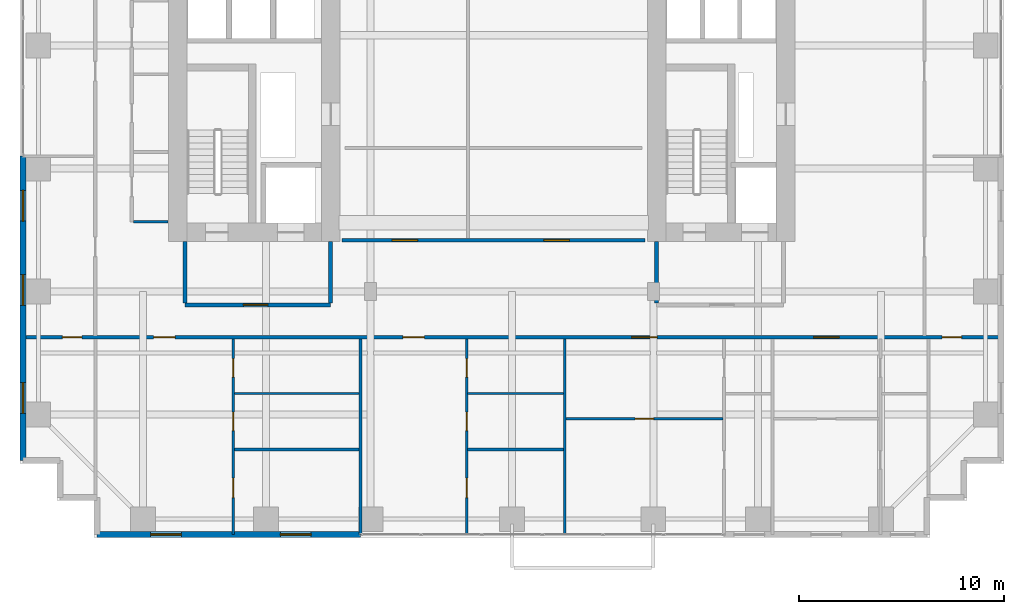
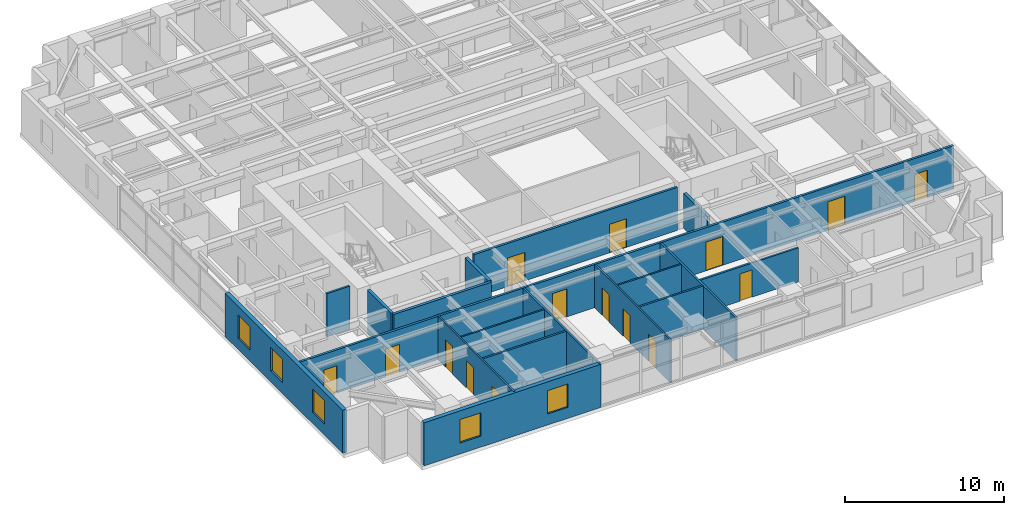
# One storey, part 19 of 24: 18 walls, 16 doors, 5 windows, 21 openings.
"""IFC4 building model written with IfcOpenShell, lengths in metres."""

import ifcopenshell
import ifcopenshell.guid

model = None  # the IFC model being written
_history = None  # IfcOwnerHistory: only IFC2X3 demands one
_inside = {}  # id of a spatial element -> (the spatial element, [elements in it])
_under = {}  # id of a project, library or spatial element -> (it, [spatial elements below it])
_declared = {}  # id of a project -> (the project, [libraries it declares])
_typed = {}  # id of a type object -> (the type object, [elements of that type])
_made_of = {}  # id of a material, layer set ... -> (it, [elements and type objects made of it])


def new_model(schema):
    """Start an empty IFC model of exactly this schema.

    Asked for "IFC4X3", IfcOpenShell would pick the latest addendum, in which some entities
    have other attributes; the version numbers below select the first issue.
    IFC2X3 requires an IfcOwnerHistory on every rooted entity: one is made here for all.
    """
    global model, _history
    if schema == "IFC4X3":
        model = ifcopenshell.file(schema_version=(4, 3, 0, 0))
    else:
        model = ifcopenshell.file(schema=schema)
    _inside.clear()
    _under.clear()
    _declared.clear()
    _typed.clear()
    _made_of.clear()
    _history = None
    if model.schema == "IFC2X3":
        org = make("IfcOrganization", Name="unknown")
        user = make(
            "IfcPersonAndOrganization",
            ThePerson=make("IfcPerson", FamilyName="unknown"),
            TheOrganization=org,
        )
        app = make(
            "IfcApplication",
            ApplicationDeveloper=org,
            Version="unknown",
            ApplicationFullName="unknown",
            ApplicationIdentifier="unknown",
        )
        _history = make(
            "IfcOwnerHistory",
            OwningUser=user,
            OwningApplication=app,
            ChangeAction="ADDED",
            CreationDate=0,
        )
    return model


def make(cls, **values):
    """One entity of the class cls with the attributes given. An attribute that is None is left unset."""
    return model.create_entity(
        cls, **{name: value for name, value in values.items() if value is not None}
    )


def rooted(cls, **values):
    """An entity with a GlobalId (a new one), such as an element, a storey or a relation."""
    return make(cls, GlobalId=ifcopenshell.guid.new(), OwnerHistory=_history, **values)


def si_unit(unit_type, name, prefix=None):
    """IfcSIUnit, for example si_unit("LENGTHUNIT", "METRE", prefix="MILLI")."""
    return make("IfcSIUnit", UnitType=unit_type, Prefix=prefix, Name=name)


def assignment(units):
    """IfcUnitAssignment: the units of a project."""
    return None if units is None else make("IfcUnitAssignment", Units=units)


def point(xyz):
    """IfcCartesianPoint."""
    return None if xyz is None else make("IfcCartesianPoint", Coordinates=xyz)


def direction(xyz):
    """IfcDirection."""
    return None if xyz is None else make("IfcDirection", DirectionRatios=xyz)


def frame(location, z_axis=None, x_axis=None):
    """IfcAxis2Placement3D, a coordinate frame: its origin and axes. An axis left out is left unset."""
    return make(
        "IfcAxis2Placement3D",
        Location=point(location),
        Axis=direction(z_axis),
        RefDirection=direction(x_axis),
    )


def frame_2d(location, x_axis=None):
    """IfcAxis2Placement2D, a coordinate frame in the plane: its origin and x axis."""
    return make(
        "IfcAxis2Placement2D", Location=point(location), RefDirection=direction(x_axis)
    )


def origin():
    """The frame at (0, 0, 0) with its axes left unset."""
    return frame((0.0, 0.0, 0.0))


def place(relative_to, where):
    """IfcLocalPlacement: puts the frame where relative to a parent placement (None: the world)."""
    return make(
        "IfcLocalPlacement", PlacementRelTo=relative_to, RelativePlacement=where
    )


def context(
    kind, dimensions, precision=None, world=None, true_north=None, identifier=None
):
    """IfcGeometricRepresentationContext, for example the 3D "Model" context."""
    return make(
        "IfcGeometricRepresentationContext",
        ContextIdentifier=identifier,
        ContextType=kind,
        CoordinateSpaceDimension=dimensions,
        Precision=precision,
        WorldCoordinateSystem=world,
        TrueNorth=true_north,
    )


def subcontext(parent, identifier, kind, view, scale=None):
    """IfcGeometricRepresentationSubContext, for example "Body" below "Model"."""
    return make(
        "IfcGeometricRepresentationSubContext",
        ContextIdentifier=identifier,
        ContextType=kind,
        ParentContext=parent,
        TargetScale=scale,
        TargetView=view,
    )


def project(units=None, contexts=None):
    """IfcProject with its units and contexts."""
    return rooted(
        "IfcProject",
        Name="project",
        RepresentationContexts=contexts,
        UnitsInContext=assignment(units),
    )


def spatial(cls, under=None, at=None, **own):
    """A site, building, storey or space (cls), placed at a placement, below another one or the project."""
    s = rooted(cls, ObjectPlacement=at, **own)
    if under is not None:
        _under.setdefault(under.id(), (under, []))[1].append(s)
    return s


def profile(cls, at=None, kind="AREA", **sizes):
    """A parametric profile (cls). Its sizes go by their IFC names, for example OverallWidth=200.0."""
    return make(cls, ProfileType=kind, Position=at, **sizes)


def rectangle(**sizes):
    """IfcRectangleProfileDef."""
    return profile("IfcRectangleProfileDef", **sizes)


def extrude(swept, where, along, depth):
    """IfcExtrudedAreaSolid: the profile swept, set in the frame where, extruded along a direction by depth."""
    return make(
        "IfcExtrudedAreaSolid",
        SweptArea=swept,
        Position=where,
        ExtrudedDirection=direction(along),
        Depth=depth,
    )


def shape(context_of_items, identifier, shape_type, items):
    """IfcShapeRepresentation: the items that make up one representation, for example the "Body"."""
    return make(
        "IfcShapeRepresentation",
        ContextOfItems=context_of_items,
        RepresentationIdentifier=identifier,
        RepresentationType=shape_type,
        Items=items,
    )


def source(mapping_origin, context_of_items, identifier, shape_type, items):
    """IfcRepresentationMap: a shape defined once, which mapped items show again and again."""
    return make(
        "IfcRepresentationMap",
        MappingOrigin=mapping_origin,
        MappedRepresentation=shape(context_of_items, identifier, shape_type, items),
    )


def transform(
    local_origin,
    x_axis=None,
    y_axis=None,
    z_axis=None,
    scale=None,
    scale2=None,
    scale3=None,
    uniform=True,
):
    """IfcCartesianTransformationOperator3D, or its non-uniform kind. x_axis, y_axis, z_axis: its Axis1, 2, 3."""
    if uniform:
        return make(
            "IfcCartesianTransformationOperator3D",
            Axis1=direction(x_axis),
            Axis2=direction(y_axis),
            LocalOrigin=point(local_origin),
            Scale=scale,
            Axis3=direction(z_axis),
        )
    return make(
        "IfcCartesianTransformationOperator3DnonUniform",
        Axis1=direction(x_axis),
        Axis2=direction(y_axis),
        LocalOrigin=point(local_origin),
        Scale=scale,
        Axis3=direction(z_axis),
        Scale2=scale2,
        Scale3=scale3,
    )


def mapped(mapping_source, mapping_target):
    """IfcMappedItem: shows the shape of a source again, moved by a transform."""
    return make(
        "IfcMappedItem", MappingSource=mapping_source, MappingTarget=mapping_target
    )


def material(Name=None, Category=None):
    """IfcMaterial."""
    return make("IfcMaterial", Name=Name, Category=Category)


def layer(
    of_material, thickness, ventilated=None, Name=None, Category=None, Priority=None
):
    """IfcMaterialLayer: one layer of a wall or slab, of a material (None: an air gap)."""
    return make(
        "IfcMaterialLayer",
        Material=of_material,
        LayerThickness=thickness,
        IsVentilated=ventilated,
        Name=Name,
        Category=Category,
        Priority=Priority,
    )


def layer_set(layers, Name=None):
    """IfcMaterialLayerSet."""
    return make("IfcMaterialLayerSet", MaterialLayers=layers, LayerSetName=Name)


def made_of(thing, what):
    """Note that an element or type object is made of a material, layer set ...; save() writes the relation."""
    if what is not None:
        _made_of.setdefault(what.id(), (what, []))[1].append(thing)
    return thing


def type_object(cls, material=None, **own):
    """A type object (cls), such as IfcWallType, which elements share."""
    return made_of(rooted(cls, **own), material)


def element(
    cls,
    number,
    at=None,
    inside=None,
    cuts=None,
    type_object=None,
    material=None,
    context=None,
    identifier="Body",
    shape_type=None,
    held_by="IfcProductDefinitionShape",
    body=None,
    shapes=None,
    **own,
):
    """One element of the class cls, such as IfcWall. Its Tag is "e" and its number.

    at: its placement. inside: the storey or other place that contains it. cuts: it is an
    opening in that element (IfcRelVoidsElement). A single representation is given by context,
    identifier, shape_type and body (its items); several are given by shapes. held_by: the class
    of the entity that holds the representations. save() writes the other relations.
    """
    e = rooted(cls, Tag="e%d" % number, ObjectPlacement=at, **own)
    if body is not None:
        shapes = [shape(context, identifier, shape_type, body)]
    if shapes is not None:
        e.Representation = make(held_by, Representations=shapes)
    if inside is not None:
        _inside.setdefault(inside.id(), (inside, []))[1].append(e)
    if cuts is not None:
        rooted(
            "IfcRelVoidsElement", RelatingBuildingElement=cuts, RelatedOpeningElement=e
        )
    if type_object is not None:
        _typed.setdefault(type_object.id(), (type_object, []))[1].append(e)
    return made_of(e, material)


def fill(opening, filler):
    """IfcRelFillsElement: the door or window that sits in an opening."""
    return rooted(
        "IfcRelFillsElement",
        RelatingOpeningElement=opening,
        RelatedBuildingElement=filler,
    )


def aggregate(whole, parts):
    """IfcRelAggregates: a whole, such as a stair, and the parts it consists of."""
    return rooted("IfcRelAggregates", RelatingObject=whole, RelatedObjects=parts)


def save(model, path):
    """Write the relations noted so far, then the file.

    IfcRelAggregates (storeys below a building ...), IfcRelContainedInSpatialStructure (elements
    in a storey), IfcRelDefinesByType, IfcRelAssociatesMaterial and IfcRelDeclares: one each for
    every whole, place, type object, material and project.
    """
    for whole, parts in _under.values():
        aggregate(whole, parts)
    for where, things in _inside.values():
        rooted(
            "IfcRelContainedInSpatialStructure",
            RelatedElements=things,
            RelatingStructure=where,
        )
    for kind, things in _typed.values():
        rooted("IfcRelDefinesByType", RelatedObjects=things, RelatingType=kind)
    for what, things in _made_of.values():
        rooted("IfcRelAssociatesMaterial", RelatedObjects=things, RelatingMaterial=what)
    for by, libraries in _declared.values():
        rooted("IfcRelDeclares", RelatingContext=by, RelatedDefinitions=libraries)
    model.write(path)


model = new_model("IFC4")

# Units and contexts
model_context = context("Model", 3, precision=1e-05, world=origin(), true_north=direction((0.0, 1.0)))
body_context = subcontext(model_context, "Body", "Model", "MODEL_VIEW")
ifc_project = project(units=[si_unit("LENGTHUNIT", "METRE"), si_unit("AREAUNIT", "SQUARE_METRE"), si_unit("VOLUMEUNIT", "CUBIC_METRE"), si_unit("PLANEANGLEUNIT", "RADIAN"), si_unit("MASSUNIT", "GRAM", prefix="KILO")], contexts=[model_context])

# Site, building, storey
site_placement = place(None, origin())
site = spatial("IfcSite", under=ifc_project, at=site_placement, CompositionType="ELEMENT")
building_placement = place(site_placement, origin())
building = spatial("IfcBuilding", under=site, at=building_placement, Name="Khoralis Quay Care Tower", CompositionType="ELEMENT")
storey_placement = place(building_placement, frame((0.0, 0.0, 54.89990234375)))
storey = spatial("IfcBuildingStorey", under=building, at=storey_placement, Name="L14", CompositionType="ELEMENT", Elevation=54.89990234375)

# Wall, opening, door
ifc_material_1 = material(Name="Gypsum plasterboard on acoustic metal stud")
ifc_layer_1 = layer(ifc_material_1, 0.199951171875)
ifc_layer_set_1 = layer_set([ifc_layer_1], Name="Gypsum plasterboard on acoustic metal stud")
wall_type_1 = type_object("IfcWallType", Name="WL-COMP-200", PredefinedType="PARTITIONING", material=ifc_layer_set_1)
wall_1_placement = place(storey_placement, frame((8.050048828125, 11.35009765625, 0.0), z_axis=(0.0, 0.0, 1.0), x_axis=(1.0, 0.0, 0.0)))
wall_1 = element("IfcWall", 1, at=wall_1_placement, inside=storey, type_object=wall_type_1, Name="L14 West Firefighting Lobby South Wall", PredefinedType="PARTITIONING", context=body_context, shape_type="SweptSolid", body=[
    extrude(rectangle(XDim=7.099853515625, YDim=0.199951171875, at=frame_2d((3.5498046875, 0.0))), origin(), (0.0, 0.0, 1.0), 3.320068359375),
])
opening_1_placement = place(wall_1_placement, frame((2.846435546875, 0.0, 0.0)))
opening_1 = element("IfcOpeningElement", 2, at=opening_1_placement, cuts=wall_1, Name="Opening FD1", PredefinedType="OPENING", context=body_context, shape_type="SweptSolid", body=[
    extrude(rectangle(XDim=1.199951171875, YDim=2.199951171875, at=frame_2d((0.60009765625, 1.10009765625))), frame((0.0, 0.10986328125, 0.0), z_axis=(0.0, -1.0, 0.0), x_axis=(1.0, 0.0, 0.0)), (0.0, 0.0, 1.0), 0.219970703125),
])
ifc_material_2 = material(Name="Fire-rated painted steel", Category="steel")
door_type_1 = type_object("IfcDoorType", Name="DR-FFL-1200X2200", OperationType="NOTDEFINED", PredefinedType="DOOR", material=ifc_material_2)
shared_shape_1 = source(origin(), body_context, "Body", "SweptSolid", [
    extrude(rectangle(XDim=1.199951171875, YDim=2.199951171875, at=frame_2d((0.60009765625, 1.10009765625))), frame((0.0, 0.02490234375, 0.0), z_axis=(0.0, -1.0, 0.0), x_axis=(1.0, 0.0, 0.0)), (0.0, 0.0, 1.0), 0.050048828125),
])
door_1_placement = place(opening_1_placement, origin())
door_1 = element("IfcDoor", 3, at=door_1_placement, inside=storey, type_object=door_type_1, Name="L14 West Firefighting Lobby Fire Door", OperationType="SINGLE_SWING_RIGHT", OverallHeight=2.199951171875, OverallWidth=1.199951171875, PredefinedType="DOOR", context=body_context, shape_type="MappedRepresentation", body=[
    mapped(shared_shape_1, transform((0.0, 0.0, 0.0), scale=1.0)),
])
fill(opening_1, door_1)

# Walls
for number, where, z_axis, x_axis, name in (
    (4, (8.050048828125, 11.445068359375, 0.0), (0.0, 0.0, 1.0), (0.0, 1.0, 0.0), "L14 West Firefighting Lobby West Wall"),
    (5, (15.14990234375, 11.445068359375, 0.0), (0.0, 0.0, 1.0), (0.0, 1.0, 0.0), "L14 West Firefighting Lobby East Wall"),
):
    element("IfcWall", number, at=place(storey_placement, frame(where, z_axis=z_axis, x_axis=x_axis)), inside=storey, type_object=wall_type_1, Name=name, PredefinedType="PARTITIONING", context=body_context, shape_type="SweptSolid", body=[
        extrude(rectangle(XDim=2.98486328125, YDim=0.199951171875, at=frame_2d((1.492431640625, 0.0))), origin(), (0.0, 0.0, 1.0), 3.320068359375),
    ])
wall_2_placement = place(storey_placement, frame((31.050048828125, 11.445068359375, 0.0), z_axis=(0.0, 0.0, 1.0), x_axis=(0.0, 1.0, 0.0)))
element("IfcWall", 6, at=wall_2_placement, inside=storey, type_object=wall_type_1, Name="L14 East Firefighting Lobby West Wall", PredefinedType="PARTITIONING", context=body_context, shape_type="SweptSolid", body=[
    extrude(rectangle(XDim=2.98486328125, YDim=0.199951171875, at=frame_2d((1.492431640625, 0.0))), origin(), (0.0, 0.0, 1.0), 2.7041015625),
])

# Wall, openings, doors
ifc_layer_2 = layer(ifc_material_1, 0.1650390625)
ifc_layer_set_2 = layer_set([ifc_layer_2], Name="Gypsum plasterboard on acoustic metal stud")
wall_type_2 = type_object("IfcWallType", Name="WL-CORR-165", PredefinedType="PARTITIONING", material=ifc_layer_set_2)
wall_3_placement = place(storey_placement, frame((0.14501953125, 9.760009765625, 0.0), z_axis=(0.0, 0.0, 1.0), x_axis=(1.0, 0.0, 0.0)))
wall_3 = element("IfcWall", 7, at=wall_3_placement, inside=storey, type_object=wall_type_2, Name="L14 South Main Corridor Wall", PredefinedType="PARTITIONING", context=body_context, shape_type="SweptSolid", body=[
    extrude(rectangle(XDim=47.7099609375, YDim=0.1650390625, at=frame_2d((23.85498046875, 0.0))), origin(), (0.0, 0.0, 1.0), 3.320068359375),
])
opening_2_placement = place(wall_3_placement, frame((6.3720703125, 0.0, 0.0)))
opening_2 = element("IfcOpeningElement", 8, at=opening_2_placement, cuts=wall_3, Name="Opening UD1", PredefinedType="OPENING", context=body_context, shape_type="SweptSolid", body=[
    extrude(rectangle(XDim=1.050048828125, YDim=2.14990234375, at=frame_2d((0.52490234375, 1.074951171875))), frame((0.0, 0.092529296875, 0.0), z_axis=(0.0, -1.0, 0.0), x_axis=(1.0, 0.0, 0.0)), (0.0, 0.0, 1.0), 0.18505859375),
])
opening_3_placement = place(wall_3_placement, frame((18.529541015625, 0.0, 0.0)))
opening_3 = element("IfcOpeningElement", 9, at=opening_3_placement, cuts=wall_3, Name="Opening UD1", PredefinedType="OPENING", context=body_context, shape_type="SweptSolid", body=[
    extrude(rectangle(XDim=1.050048828125, YDim=2.14990234375, at=frame_2d((0.52490234375, 1.074951171875))), frame((0.0, 0.092529296875, 0.0), z_axis=(0.0, -1.0, 0.0), x_axis=(1.0, 0.0, 0.0)), (0.0, 0.0, 1.0), 0.18505859375),
])
opening_4_placement = place(wall_3_placement, frame((29.68994140625, 0.0, 0.0)))
opening_4 = element("IfcOpeningElement", 10, at=opening_4_placement, cuts=wall_3, Name="Opening CD1", PredefinedType="OPENING", context=body_context, shape_type="SweptSolid", body=[
    extrude(rectangle(XDim=1.25, YDim=2.199951171875, at=frame_2d((0.625, 1.10009765625))), frame((0.0, 0.092529296875, 0.0), z_axis=(0.0, -1.0, 0.0), x_axis=(1.0, 0.0, 0.0)), (0.0, 0.0, 1.0), 0.18505859375),
])
opening_5_placement = place(wall_3_placement, frame((38.56494140625, 0.0, 0.0)))
opening_5 = element("IfcOpeningElement", 11, at=opening_5_placement, cuts=wall_3, Name="Opening CD1", PredefinedType="OPENING", context=body_context, shape_type="SweptSolid", body=[
    extrude(rectangle(XDim=1.25, YDim=2.199951171875, at=frame_2d((0.625, 1.10009765625))), frame((0.0, 0.092529296875, 0.0), z_axis=(0.0, -1.0, 0.0), x_axis=(1.0, 0.0, 0.0)), (0.0, 0.0, 1.0), 0.18505859375),
])
opening_6_placement = place(wall_3_placement, frame((1.919921875, 0.0, 0.0)))
opening_6 = element("IfcOpeningElement", 12, at=opening_6_placement, cuts=wall_3, Name="Opening ID1", PredefinedType="OPENING", context=body_context, shape_type="SweptSolid", body=[
    extrude(rectangle(XDim=0.949951171875, YDim=2.10009765625, at=frame_2d((0.47509765625, 1.050048828125))), frame((0.0, 0.092529296875, 0.0), z_axis=(0.0, -1.0, 0.0), x_axis=(1.0, 0.0, 0.0)), (0.0, 0.0, 1.0), 0.18505859375),
])
opening_7_placement = place(wall_3_placement, frame((44.840087890625, 0.0, 0.0)))
opening_7 = element("IfcOpeningElement", 13, at=opening_7_placement, cuts=wall_3, Name="Opening ID1", PredefinedType="OPENING", context=body_context, shape_type="SweptSolid", body=[
    extrude(rectangle(XDim=0.949951171875, YDim=2.10009765625, at=frame_2d((0.47509765625, 1.050048828125))), frame((0.0, 0.092529296875, 0.0), z_axis=(0.0, -1.0, 0.0), x_axis=(1.0, 0.0, 0.0)), (0.0, 0.0, 1.0), 0.18505859375),
])
ifc_material_3 = material(Name="Acoustic hardwood timber", Category="wood")
door_type_2 = type_object("IfcDoorType", Name="DR-CARE-1250X2200", OperationType="NOTDEFINED", PredefinedType="DOOR", material=ifc_material_3)
shared_shape_2 = source(origin(), body_context, "Body", "SweptSolid", [
    extrude(rectangle(XDim=1.25, YDim=2.199951171875, at=frame_2d((0.625, 1.10009765625))), frame((0.0, 0.02490234375, 0.0), z_axis=(0.0, -1.0, 0.0), x_axis=(1.0, 0.0, 0.0)), (0.0, 0.0, 1.0), 0.050048828125),
])
door_2_placement = place(opening_4_placement, frame((1.25, 0.0, 0.0), z_axis=(0.0, 0.0, 1.0), x_axis=(-1.0, 0.0, 0.0)))
door_2 = element("IfcDoor", 14, at=door_2_placement, inside=storey, type_object=door_type_2, Name="L14 Care Suite SB2 Clinical Door", OperationType="SINGLE_SWING_RIGHT", OverallHeight=2.199951171875, OverallWidth=1.25, PredefinedType="DOOR", context=body_context, shape_type="MappedRepresentation", body=[
    mapped(shared_shape_2, transform((0.0, 0.0, 0.0), scale=1.0)),
])
fill(opening_4, door_2)
door_3_placement = place(opening_5_placement, frame((1.25, 0.0, 0.0), z_axis=(0.0, 0.0, 1.0), x_axis=(-1.0, 0.0, 0.0)))
door_3 = element("IfcDoor", 15, at=door_3_placement, inside=storey, type_object=door_type_2, Name="L14 Care Suite SB3 Clinical Door", OperationType="SINGLE_SWING_LEFT", OverallHeight=2.199951171875, OverallWidth=1.25, PredefinedType="DOOR", context=body_context, shape_type="MappedRepresentation", body=[
    mapped(shared_shape_2, transform((0.0, 0.0, 0.0), scale=1.0)),
])
fill(opening_5, door_3)
door_type_3 = type_object("IfcDoorType", Name="DR-ROOM-950X2100", OperationType="NOTDEFINED", PredefinedType="DOOR", material=ifc_material_3)
shared_shape_3 = source(origin(), body_context, "Body", "SweptSolid", [
    extrude(rectangle(XDim=0.949951171875, YDim=2.10009765625, at=frame_2d((0.47509765625, 1.050048828125))), frame((0.0, 0.02490234375, 0.0), z_axis=(0.0, -1.0, 0.0), x_axis=(1.0, 0.0, 0.0)), (0.0, 0.0, 1.0), 0.050048828125),
])
door_4_placement = place(opening_6_placement, frame((0.949951171875, 0.0, 0.0), z_axis=(0.0, 0.0, 1.0), x_axis=(-1.0, 0.0, 0.0)))
door_4 = element("IfcDoor", 16, at=door_4_placement, inside=storey, type_object=door_type_3, Name="L14 SW Corner Door", OperationType="SINGLE_SWING_LEFT", OverallHeight=2.10009765625, OverallWidth=0.949951171875, PredefinedType="DOOR", context=body_context, shape_type="MappedRepresentation", body=[
    mapped(shared_shape_3, transform((0.0, 0.0, 0.0), scale=1.0)),
])
fill(opening_6, door_4)
door_5_placement = place(opening_7_placement, frame((0.949951171875, 0.0, 0.0), z_axis=(0.0, 0.0, 1.0), x_axis=(-1.0, 0.0, 0.0)))
door_5 = element("IfcDoor", 17, at=door_5_placement, inside=storey, type_object=door_type_3, Name="L14 SE Corner Door", OperationType="SINGLE_SWING_RIGHT", OverallHeight=2.10009765625, OverallWidth=0.949951171875, PredefinedType="DOOR", context=body_context, shape_type="MappedRepresentation", body=[
    mapped(shared_shape_3, transform((0.0, 0.0, 0.0), scale=1.0)),
])
fill(opening_7, door_5)
door_type_4 = type_object("IfcDoorType", Name="DR-SUITE-1050X2150", OperationType="NOTDEFINED", PredefinedType="DOOR", material=ifc_material_3)
shared_shape_4 = source(origin(), body_context, "Body", "SweptSolid", [
    extrude(rectangle(XDim=1.050048828125, YDim=2.14990234375, at=frame_2d((0.52490234375, 1.074951171875))), frame((0.0, 0.02490234375, 0.0), z_axis=(0.0, -1.0, 0.0), x_axis=(1.0, 0.0, 0.0)), (0.0, 0.0, 1.0), 0.050048828125),
])
door_6_placement = place(opening_2_placement, frame((1.050048828125, 0.0, 0.0), z_axis=(0.0, 0.0, 1.0), x_axis=(-1.0, 0.0, 0.0)))
door_6 = element("IfcDoor", 18, at=door_6_placement, inside=storey, type_object=door_type_4, Name="L14 Apartment SB0 Entrance Door", OperationType="SINGLE_SWING_RIGHT", OverallHeight=2.14990234375, OverallWidth=1.050048828125, PredefinedType="DOOR", context=body_context, shape_type="MappedRepresentation", body=[
    mapped(shared_shape_4, transform((0.0, 0.0, 0.0), scale=1.0)),
])
fill(opening_2, door_6)
door_7_placement = place(opening_3_placement, frame((1.050048828125, 0.0, 0.0), z_axis=(0.0, 0.0, 1.0), x_axis=(-1.0, 0.0, 0.0)))
door_7 = element("IfcDoor", 19, at=door_7_placement, inside=storey, type_object=door_type_4, Name="L14 Apartment SB1 Entrance Door", OperationType="SINGLE_SWING_LEFT", OverallHeight=2.14990234375, OverallWidth=1.050048828125, PredefinedType="DOOR", context=body_context, shape_type="MappedRepresentation", body=[
    mapped(shared_shape_4, transform((0.0, 0.0, 0.0), scale=1.0)),
])
fill(opening_3, door_7)

wall_4_placement = place(storey_placement, frame((15.699951171875, 14.5, 0.0), z_axis=(0.0, 0.0, 1.0), x_axis=(1.0, 0.0, 0.0)))
wall_4 = element("IfcWall", 20, at=wall_4_placement, inside=storey, type_object=wall_type_2, Name="L14 Central Clinical South Wall", PredefinedType="PARTITIONING", context=body_context, shape_type="SweptSolid", body=[
    extrude(rectangle(XDim=14.800048828125, YDim=0.1650390625, at=frame_2d((7.39990234375, 0.0))), origin(), (0.0, 0.0, 1.0), 3.320068359375),
])
opening_8_placement = place(wall_4_placement, frame((2.449951171875, 0.0, 0.0)))
opening_8 = element("IfcOpeningElement", 21, at=opening_8_placement, cuts=wall_4, Name="Opening CD1", PredefinedType="OPENING", context=body_context, shape_type="SweptSolid", body=[
    extrude(rectangle(XDim=1.25, YDim=2.199951171875, at=frame_2d((0.625, 1.10009765625))), frame((0.0, 0.092529296875, 0.0), z_axis=(0.0, -1.0, 0.0), x_axis=(1.0, 0.0, 0.0)), (0.0, 0.0, 1.0), 0.18505859375),
])
opening_9_placement = place(wall_4_placement, frame((9.85009765625, 0.0, 0.0)))
opening_9 = element("IfcOpeningElement", 22, at=opening_9_placement, cuts=wall_4, Name="Opening CD1", PredefinedType="OPENING", context=body_context, shape_type="SweptSolid", body=[
    extrude(rectangle(XDim=1.25, YDim=2.199951171875, at=frame_2d((0.625, 1.10009765625))), frame((0.0, 0.092529296875, 0.0), z_axis=(0.0, -1.0, 0.0), x_axis=(1.0, 0.0, 0.0)), (0.0, 0.0, 1.0), 0.18505859375),
])
door_8_placement = place(opening_8_placement, origin())
door_8 = element("IfcDoor", 23, at=door_8_placement, inside=storey, type_object=door_type_2, Name="L14 Nurse Station Door", OperationType="SINGLE_SWING_LEFT", OverallHeight=2.199951171875, OverallWidth=1.25, PredefinedType="DOOR", context=body_context, shape_type="MappedRepresentation", body=[
    mapped(shared_shape_2, transform((0.0, 0.0, 0.0), scale=1.0)),
])
fill(opening_8, door_8)
door_9_placement = place(opening_9_placement, origin())
door_9 = element("IfcDoor", 24, at=door_9_placement, inside=storey, type_object=door_type_2, Name="L14 Treatment Clinic Door", OperationType="SINGLE_SWING_RIGHT", OverallHeight=2.199951171875, OverallWidth=1.25, PredefinedType="DOOR", context=body_context, shape_type="MappedRepresentation", body=[
    mapped(shared_shape_2, transform((0.0, 0.0, 0.0), scale=1.0)),
])
fill(opening_9, door_9)

# Wall, openings, windows
ifc_material_4 = material(Name="Precast concrete C45/55", Category="concrete")
ifc_layer_3 = layer(ifc_material_4, 0.300048828125)
ifc_layer_set_3 = layer_set([ifc_layer_3], Name="Precast concrete C45/55")
wall_type_3 = type_object("IfcWallType", Name="WL-EXT-REF-300", PredefinedType="SOLIDWALL", material=ifc_layer_set_3)
wall_5_placement = place(storey_placement, frame((3.75, 0.14990234375, 0.0), z_axis=(0.0, 0.0, 1.0), x_axis=(1.0, 0.0, 0.0)))
wall_5 = element("IfcWall", 25, at=wall_5_placement, inside=storey, type_object=wall_type_3, Name="L14 External Facade Wall WL-EXT-L14-P1-E0A", PredefinedType="SOLIDWALL", context=body_context, shape_type="SweptSolid", body=[
    extrude(rectangle(XDim=12.860107421875, YDim=0.300048828125, at=frame_2d((6.43017578125, 0.0))), origin(), (0.0, 0.0, 1.0), 3.320068359375),
])
opening_10_placement = place(wall_5_placement, frame((2.626953125, 0.0, 0.85009765625)))
opening_10 = element("IfcOpeningElement", 26, at=opening_10_placement, cuts=wall_5, Name="Opening W3", PredefinedType="OPENING", context=body_context, shape_type="SweptSolid", body=[
    extrude(rectangle(XDim=1.5, YDim=1.800048828125, at=frame_2d((0.75, 0.89990234375))), frame((0.0, 0.16015625, 0.0), z_axis=(0.0, -1.0, 0.0), x_axis=(1.0, 0.0, 0.0)), (0.0, 0.0, 1.0), 0.320068359375),
])
opening_11_placement = place(wall_5_placement, frame((8.95703125, 0.0, 0.85009765625)))
opening_11 = element("IfcOpeningElement", 27, at=opening_11_placement, cuts=wall_5, Name="Opening W3", PredefinedType="OPENING", context=body_context, shape_type="SweptSolid", body=[
    extrude(rectangle(XDim=1.5, YDim=1.800048828125, at=frame_2d((0.75, 0.89990234375))), frame((0.0, 0.16015625, 0.0), z_axis=(0.0, -1.0, 0.0), x_axis=(1.0, 0.0, 0.0)), (0.0, 0.0, 1.0), 0.320068359375),
])
ifc_material_5 = material(Name="Low-E solar-control double glazing", Category="glass")
window_type = type_object("IfcWindowType", Name="WN-CLIN-1500X1800", PartitioningType="SINGLE_PANEL", PredefinedType="WINDOW", material=ifc_material_5)
shared_shape_5 = source(origin(), body_context, "Body", "SweptSolid", [
    extrude(rectangle(XDim=1.5, YDim=1.800048828125, at=frame_2d((0.75, 0.89990234375))), frame((0.0, 0.030029296875, 0.0), z_axis=(0.0, -1.0, 0.0), x_axis=(1.0, 0.0, 0.0)), (0.0, 0.0, 1.0), 0.06005859375),
])
window_1_placement = place(opening_10_placement, origin())
window_1 = element("IfcWindow", 28, at=window_1_placement, inside=storey, type_object=window_type, Name="WN-L14-P1-E0A Facade Window 01", OverallHeight=1.800048828125, OverallWidth=1.5, PartitioningType="SINGLE_PANEL", PredefinedType="WINDOW", context=body_context, shape_type="MappedRepresentation", body=[
    mapped(shared_shape_5, transform((0.0, 0.0, 0.0), scale=1.0)),
])
fill(opening_10, window_1)
window_2_placement = place(opening_11_placement, origin())
window_2 = element("IfcWindow", 29, at=window_2_placement, inside=storey, type_object=window_type, Name="WN-L14-P1-E0A Facade Window 02", OverallHeight=1.800048828125, OverallWidth=1.5, PartitioningType="SINGLE_PANEL", PredefinedType="WINDOW", context=body_context, shape_type="MappedRepresentation", body=[
    mapped(shared_shape_5, transform((0.0, 0.0, 0.0), scale=1.0)),
])
fill(opening_11, window_2)

wall_6_placement = place(storey_placement, frame((0.14990234375, 18.60009765625, 0.0), z_axis=(0.0, 0.0, 1.0), x_axis=(0.0, -1.0, 0.0)))
wall_6 = element("IfcWall", 30, at=wall_6_placement, inside=storey, type_object=wall_type_3, Name="L14 External Facade Wall WL-EXT-L14-P1-E15B", PredefinedType="SOLIDWALL", context=body_context, shape_type="SweptSolid", body=[
    extrude(rectangle(XDim=14.85009765625, YDim=0.300048828125, at=frame_2d((7.425048828125, 0.0))), origin(), (0.0, 0.0, 1.0), 3.320068359375),
])
opening_12_placement = place(wall_6_placement, frame((1.6650390625, 0.0, 0.85009765625)))
opening_12 = element("IfcOpeningElement", 31, at=opening_12_placement, cuts=wall_6, Name="Opening W3", PredefinedType="OPENING", context=body_context, shape_type="SweptSolid", body=[
    extrude(rectangle(XDim=1.5, YDim=1.800048828125, at=frame_2d((0.75, 0.89990234375))), frame((0.0, 0.16015625, 0.0), z_axis=(0.0, -1.0, 0.0), x_axis=(1.0, 0.0, 0.0)), (0.0, 0.0, 1.0), 0.320068359375),
])
opening_13_placement = place(wall_6_placement, frame((5.77490234375, 0.0, 0.85009765625)))
opening_13 = element("IfcOpeningElement", 32, at=opening_13_placement, cuts=wall_6, Name="Opening W3", PredefinedType="OPENING", context=body_context, shape_type="SweptSolid", body=[
    extrude(rectangle(XDim=1.5, YDim=1.800048828125, at=frame_2d((0.75, 0.89990234375))), frame((0.0, 0.16015625, 0.0), z_axis=(0.0, -1.0, 0.0), x_axis=(1.0, 0.0, 0.0)), (0.0, 0.0, 1.0), 0.320068359375),
])
opening_14_placement = place(wall_6_placement, frame((11.044921875, 0.0, 0.85009765625)))
opening_14 = element("IfcOpeningElement", 33, at=opening_14_placement, cuts=wall_6, Name="Opening W3", PredefinedType="OPENING", context=body_context, shape_type="SweptSolid", body=[
    extrude(rectangle(XDim=1.5, YDim=1.800048828125, at=frame_2d((0.75, 0.89990234375))), frame((0.0, 0.16015625, 0.0), z_axis=(0.0, -1.0, 0.0), x_axis=(1.0, 0.0, 0.0)), (0.0, 0.0, 1.0), 0.320068359375),
])
window_3_placement = place(opening_12_placement, origin())
window_3 = element("IfcWindow", 34, at=window_3_placement, inside=storey, type_object=window_type, Name="WN-L14-P1-E15B Facade Window 01", OverallHeight=1.800048828125, OverallWidth=1.5, PartitioningType="SINGLE_PANEL", PredefinedType="WINDOW", context=body_context, shape_type="MappedRepresentation", body=[
    mapped(shared_shape_5, transform((0.0, 0.0, 0.0), scale=1.0)),
])
fill(opening_12, window_3)
window_4_placement = place(opening_13_placement, origin())
window_4 = element("IfcWindow", 35, at=window_4_placement, inside=storey, type_object=window_type, Name="WN-L14-P1-E15B Facade Window 02", OverallHeight=1.800048828125, OverallWidth=1.5, PartitioningType="SINGLE_PANEL", PredefinedType="WINDOW", context=body_context, shape_type="MappedRepresentation", body=[
    mapped(shared_shape_5, transform((0.0, 0.0, 0.0), scale=1.0)),
])
fill(opening_13, window_4)
window_5_placement = place(opening_14_placement, origin())
window_5 = element("IfcWindow", 36, at=window_5_placement, inside=storey, type_object=window_type, Name="WN-L14-P1-E15B Facade Window 03", OverallHeight=1.800048828125, OverallWidth=1.5, PartitioningType="SINGLE_PANEL", PredefinedType="WINDOW", context=body_context, shape_type="MappedRepresentation", body=[
    mapped(shared_shape_5, transform((0.0, 0.0, 0.0), scale=1.0)),
])
fill(opening_14, window_5)

# Wall, openings, doors
ifc_layer_4 = layer(ifc_material_1, 0.114990234375)
ifc_layer_set_4 = layer_set([ifc_layer_4], Name="Gypsum plasterboard on acoustic metal stud")
wall_type_4 = type_object("IfcWallType", Name="WL-PART-115", PredefinedType="PARTITIONING", material=ifc_layer_set_4)
wall_7_placement = place(storey_placement, frame((10.404052734375, 0.14501953125, 0.0), z_axis=(0.0, 0.0, 1.0), x_axis=(0.0, 1.0, 0.0)))
wall_7 = element("IfcWall", 37, at=wall_7_placement, inside=storey, type_object=wall_type_4, Name="L14 Unit 0 Internal Wall", PredefinedType="PARTITIONING", context=body_context, shape_type="SweptSolid", body=[
    extrude(rectangle(XDim=9.53759765625, YDim=0.114990234375, at=frame_2d((4.768798828125, 0.0))), origin(), (0.0, 0.0, 1.0), 3.320068359375),
])
opening_15_placement = place(wall_7_placement, frame((1.802001953125, 0.0, 0.0)))
opening_15 = element("IfcOpeningElement", 38, at=opening_15_placement, cuts=wall_7, Name="Opening ID1", PredefinedType="OPENING", context=body_context, shape_type="SweptSolid", body=[
    extrude(rectangle(XDim=0.949951171875, YDim=2.10009765625, at=frame_2d((0.47509765625, 1.050048828125))), frame((0.0, 0.0673828125, 0.0), z_axis=(0.0, -1.0, 0.0), x_axis=(1.0, 0.0, 0.0)), (0.0, 0.0, 1.0), 0.135009765625),
])
opening_16_placement = place(wall_7_placement, frame((5.0654296875, 0.0, 0.0)))
opening_16 = element("IfcOpeningElement", 39, at=opening_16_placement, cuts=wall_7, Name="Opening WD1", PredefinedType="OPENING", context=body_context, shape_type="SweptSolid", body=[
    extrude(rectangle(XDim=0.89990234375, YDim=2.10009765625, at=frame_2d((0.449951171875, 1.050048828125))), frame((0.0, 0.0673828125, 0.0), z_axis=(0.0, -1.0, 0.0), x_axis=(1.0, 0.0, 0.0)), (0.0, 0.0, 1.0), 0.135009765625),
])
opening_17_placement = place(wall_7_placement, frame((7.68359375, 0.0, 0.0)))
opening_17 = element("IfcOpeningElement", 40, at=opening_17_placement, cuts=wall_7, Name="Opening WD1", PredefinedType="OPENING", context=body_context, shape_type="SweptSolid", body=[
    extrude(rectangle(XDim=0.89990234375, YDim=2.10009765625, at=frame_2d((0.449951171875, 1.050048828125))), frame((0.0, 0.0673828125, 0.0), z_axis=(0.0, -1.0, 0.0), x_axis=(1.0, 0.0, 0.0)), (0.0, 0.0, 1.0), 0.135009765625),
])
door_type_5 = type_object("IfcDoorType", Name="DR-BATH-900X2100", OperationType="NOTDEFINED", PredefinedType="DOOR", material=ifc_material_3)
shared_shape_6 = source(origin(), body_context, "Body", "SweptSolid", [
    extrude(rectangle(XDim=0.89990234375, YDim=2.10009765625, at=frame_2d((0.449951171875, 1.050048828125))), frame((0.0, 0.02490234375, 0.0), z_axis=(0.0, -1.0, 0.0), x_axis=(1.0, 0.0, 0.0)), (0.0, 0.0, 1.0), 0.050048828125),
])
door_10_placement = place(opening_16_placement, frame((0.89990234375, 0.0, 0.0), z_axis=(0.0, 0.0, 1.0), x_axis=(-1.0, 0.0, 0.0)))
door_10 = element("IfcDoor", 41, at=door_10_placement, inside=storey, type_object=door_type_5, Name="L14 Apartment SB0 KIT Door", OperationType="SINGLE_SWING_RIGHT", OverallHeight=2.10009765625, OverallWidth=0.89990234375, PredefinedType="DOOR", context=body_context, shape_type="MappedRepresentation", body=[
    mapped(shared_shape_6, transform((0.0, 0.0, 0.0), scale=1.0)),
])
fill(opening_16, door_10)
door_11_placement = place(opening_17_placement, frame((0.89990234375, 0.0, 0.0), z_axis=(0.0, 0.0, 1.0), x_axis=(-1.0, 0.0, 0.0)))
door_11 = element("IfcDoor", 42, at=door_11_placement, inside=storey, type_object=door_type_5, Name="L14 Apartment SB0 BTH Door", OperationType="SINGLE_SWING_LEFT", OverallHeight=2.10009765625, OverallWidth=0.89990234375, PredefinedType="DOOR", context=body_context, shape_type="MappedRepresentation", body=[
    mapped(shared_shape_6, transform((0.0, 0.0, 0.0), scale=1.0)),
])
fill(opening_17, door_11)
door_12_placement = place(opening_15_placement, frame((0.949951171875, 0.0, 0.0), z_axis=(0.0, 0.0, 1.0), x_axis=(-1.0, 0.0, 0.0)))
door_12 = element("IfcDoor", 43, at=door_12_placement, inside=storey, type_object=door_type_3, Name="L14 Apartment SB0 BED Door", OperationType="SINGLE_SWING_LEFT", OverallHeight=2.10009765625, OverallWidth=0.949951171875, PredefinedType="DOOR", context=body_context, shape_type="MappedRepresentation", body=[
    mapped(shared_shape_3, transform((0.0, 0.0, 0.0), scale=1.0)),
])
fill(opening_15, door_12)

# Wall
wall_8_placement = place(storey_placement, frame((10.45654296875, 7.027099609375, 0.0), z_axis=(0.0, 0.0, 1.0), x_axis=(1.0, 0.0, 0.0)))
element("IfcWall", 44, at=wall_8_placement, inside=storey, type_object=wall_type_4, Name="L14 Unit 0 Kitchen Wall", PredefinedType="PARTITIONING", context=body_context, shape_type="SweptSolid", body=[
    extrude(rectangle(XDim=6.08837890625, YDim=0.114990234375, at=frame_2d((3.044189453125, 0.0))), origin(), (0.0, 0.0, 1.0), 3.320068359375),
])

# Wall, openings, doors
wall_9_placement = place(storey_placement, frame((21.7890625, 0.14501953125, 0.0), z_axis=(0.0, 0.0, 1.0), x_axis=(0.0, 1.0, 0.0)))
wall_9 = element("IfcWall", 45, at=wall_9_placement, inside=storey, type_object=wall_type_4, Name="L14 Unit 1 Internal Wall", PredefinedType="PARTITIONING", context=body_context, shape_type="SweptSolid", body=[
    extrude(rectangle(XDim=9.53759765625, YDim=0.114990234375, at=frame_2d((4.768798828125, 0.0))), origin(), (0.0, 0.0, 1.0), 3.320068359375),
])
opening_18_placement = place(wall_9_placement, frame((1.802001953125, 0.0, 0.0)))
opening_18 = element("IfcOpeningElement", 46, at=opening_18_placement, cuts=wall_9, Name="Opening ID1", PredefinedType="OPENING", context=body_context, shape_type="SweptSolid", body=[
    extrude(rectangle(XDim=0.949951171875, YDim=2.10009765625, at=frame_2d((0.47509765625, 1.050048828125))), frame((0.0, 0.0673828125, 0.0), z_axis=(0.0, -1.0, 0.0), x_axis=(1.0, 0.0, 0.0)), (0.0, 0.0, 1.0), 0.135009765625),
])
opening_19_placement = place(wall_9_placement, frame((5.0654296875, 0.0, 0.0)))
opening_19 = element("IfcOpeningElement", 47, at=opening_19_placement, cuts=wall_9, Name="Opening WD1", PredefinedType="OPENING", context=body_context, shape_type="SweptSolid", body=[
    extrude(rectangle(XDim=0.89990234375, YDim=2.10009765625, at=frame_2d((0.449951171875, 1.050048828125))), frame((0.0, 0.0673828125, 0.0), z_axis=(0.0, -1.0, 0.0), x_axis=(1.0, 0.0, 0.0)), (0.0, 0.0, 1.0), 0.135009765625),
])
opening_20_placement = place(wall_9_placement, frame((7.68359375, 0.0, 0.0)))
opening_20 = element("IfcOpeningElement", 48, at=opening_20_placement, cuts=wall_9, Name="Opening WD1", PredefinedType="OPENING", context=body_context, shape_type="SweptSolid", body=[
    extrude(rectangle(XDim=0.89990234375, YDim=2.10009765625, at=frame_2d((0.449951171875, 1.050048828125))), frame((0.0, 0.0673828125, 0.0), z_axis=(0.0, -1.0, 0.0), x_axis=(1.0, 0.0, 0.0)), (0.0, 0.0, 1.0), 0.135009765625),
])
door_13_placement = place(opening_19_placement, frame((0.89990234375, 0.0, 0.0), z_axis=(0.0, 0.0, 1.0), x_axis=(-1.0, 0.0, 0.0)))
door_13 = element("IfcDoor", 49, at=door_13_placement, inside=storey, type_object=door_type_5, Name="L14 Apartment SB1 KIT Door", OperationType="SINGLE_SWING_LEFT", OverallHeight=2.10009765625, OverallWidth=0.89990234375, PredefinedType="DOOR", context=body_context, shape_type="MappedRepresentation", body=[
    mapped(shared_shape_6, transform((0.0, 0.0, 0.0), scale=1.0)),
])
fill(opening_19, door_13)
door_14_placement = place(opening_20_placement, frame((0.89990234375, 0.0, 0.0), z_axis=(0.0, 0.0, 1.0), x_axis=(-1.0, 0.0, 0.0)))
door_14 = element("IfcDoor", 50, at=door_14_placement, inside=storey, type_object=door_type_5, Name="L14 Apartment SB1 BTH Door", OperationType="SINGLE_SWING_RIGHT", OverallHeight=2.10009765625, OverallWidth=0.89990234375, PredefinedType="DOOR", context=body_context, shape_type="MappedRepresentation", body=[
    mapped(shared_shape_6, transform((0.0, 0.0, 0.0), scale=1.0)),
])
fill(opening_20, door_14)
door_15_placement = place(opening_18_placement, frame((0.949951171875, 0.0, 0.0), z_axis=(0.0, 0.0, 1.0), x_axis=(-1.0, 0.0, 0.0)))
door_15 = element("IfcDoor", 51, at=door_15_placement, inside=storey, type_object=door_type_3, Name="L14 Apartment SB1 BED Door", OperationType="SINGLE_SWING_RIGHT", OverallHeight=2.10009765625, OverallWidth=0.949951171875, PredefinedType="DOOR", context=body_context, shape_type="MappedRepresentation", body=[
    mapped(shared_shape_3, transform((0.0, 0.0, 0.0), scale=1.0)),
])
fill(opening_18, door_15)

# Walls
wall_10_placement = place(storey_placement, frame((21.841552734375, 7.027099609375, 0.0), z_axis=(0.0, 0.0, 1.0), x_axis=(1.0, 0.0, 0.0)))
element("IfcWall", 52, at=wall_10_placement, inside=storey, type_object=wall_type_4, Name="L14 Unit 1 Kitchen Wall", PredefinedType="PARTITIONING", context=body_context, shape_type="SweptSolid", body=[
    extrude(rectangle(XDim=4.663330078125, YDim=0.114990234375, at=frame_2d((2.33154296875, 0.0))), origin(), (0.0, 0.0, 1.0), 3.320068359375),
])
ifc_material_6 = material(Name="Moisture-resistant gypsum and ceramic tile")
ifc_layer_5 = layer(ifc_material_6, 0.280029296875)
ifc_layer_set_5 = layer_set([ifc_layer_5], Name="Moisture-resistant gypsum and ceramic tile")
wall_type_5 = type_object("IfcWallType", Name="WL-PLUMB-280", PredefinedType="PLUMBINGWALL", material=ifc_layer_set_5)
wall_11_placement = place(storey_placement, frame((10.45654296875, 4.2939453125, 0.0), z_axis=(0.0, 0.0, 1.0), x_axis=(1.0, 0.0, 0.0)))
element("IfcWall", 53, at=wall_11_placement, inside=storey, type_object=wall_type_5, Name="L14 Unit 0 Wet Wall", PredefinedType="PLUMBINGWALL", context=body_context, shape_type="SweptSolid", body=[
    extrude(rectangle(XDim=6.08837890625, YDim=0.139892578125, at=frame_2d((3.044189453125, 0.0))), origin(), (0.0, 0.0, 1.0), 3.320068359375),
])
wall_12_placement = place(storey_placement, frame((21.841552734375, 4.2939453125, 0.0), z_axis=(0.0, 0.0, 1.0), x_axis=(1.0, 0.0, 0.0)))
element("IfcWall", 54, at=wall_12_placement, inside=storey, type_object=wall_type_5, Name="L14 Unit 1 Wet Wall", PredefinedType="PLUMBINGWALL", context=body_context, shape_type="SweptSolid", body=[
    extrude(rectangle(XDim=4.663330078125, YDim=0.139892578125, at=frame_2d((2.33154296875, 0.0))), origin(), (0.0, 0.0, 1.0), 3.320068359375),
])
ifc_layer_6 = layer(ifc_material_1, 0.139892578125)
ifc_layer_set_6 = layer_set([ifc_layer_6], Name="Gypsum plasterboard on acoustic metal stud")
wall_type_6 = type_object("IfcWallType", Name="WL-UNIT-140", PredefinedType="PARTITIONING", material=ifc_layer_set_6)
wall_13_placement = place(storey_placement, frame((5.527587890625, 15.39990234375, 0.0), z_axis=(0.0, 0.0, 1.0), x_axis=(1.0, 0.0, 0.0)))
element("IfcWall", 55, at=wall_13_placement, inside=storey, type_object=wall_type_6, Name="L14 West Flank South Cap", PredefinedType="PARTITIONING", context=body_context, shape_type="SweptSolid", body=[
    extrude(rectangle(XDim=1.682373046875, YDim=0.139892578125, at=frame_2d((0.84130859375, 0.0))), origin(), (0.0, 0.0, 1.0), 3.320068359375),
])
for number, where, z_axis, x_axis, name in (
    (56, (16.610107421875, 0.14501953125, 0.0), (0.0, 0.0, 1.0), (0.0, 1.0, 0.0), "L14 SB Demising Wall 1"),
    (57, (26.570068359375, 0.14501953125, 0.0), (0.0, 0.0, 1.0), (0.0, 1.0, 0.0), "L14 SB Demising Wall 2"),
):
    element("IfcWall", number, at=place(storey_placement, frame(where, z_axis=z_axis, x_axis=x_axis)), inside=storey, type_object=wall_type_6, Name=name, PredefinedType="PARTITIONING", context=body_context, shape_type="SweptSolid", body=[
        extrude(rectangle(XDim=9.53759765625, YDim=0.139892578125, at=frame_2d((4.768798828125, 0.0))), origin(), (0.0, 0.0, 1.0), 3.320068359375),
    ])

# Wall, opening, door
wall_14_placement = place(storey_placement, frame((26.635009765625, 5.7900390625, 0.0), z_axis=(0.0, 0.0, 1.0), x_axis=(1.0, 0.0, 0.0)))
wall_14 = element("IfcWall", 58, at=wall_14_placement, inside=storey, type_object=wall_type_6, Name="Skilled Care Bedroom L14-SB2 Sub-Partition", PredefinedType="PARTITIONING", context=body_context, shape_type="SweptSolid", body=[
    extrude(rectangle(XDim=7.64990234375, YDim=0.139892578125, at=frame_2d((3.824951171875, 0.0))), origin(), (0.0, 0.0, 1.0), 2.625),
])
opening_21_placement = place(wall_14_placement, frame((3.375, 0.0, 0.0)))
opening_21 = element("IfcOpeningElement", 59, at=opening_21_placement, cuts=wall_14, Name="Opening WD1", PredefinedType="OPENING", context=body_context, shape_type="SweptSolid", body=[
    extrude(rectangle(XDim=0.89990234375, YDim=2.10009765625, at=frame_2d((0.449951171875, 1.050048828125))), frame((0.0, 0.080078125, 0.0), z_axis=(0.0, -1.0, 0.0), x_axis=(1.0, 0.0, 0.0)), (0.0, 0.0, 1.0), 0.159912109375),
])
door_16_placement = place(opening_21_placement, origin())
door_16 = element("IfcDoor", 60, at=door_16_placement, inside=storey, type_object=door_type_5, Name="Private Study & Reading Alcove ARE2 Door", OperationType="SINGLE_SWING_LEFT", OverallHeight=2.10009765625, OverallWidth=0.89990234375, PredefinedType="DOOR", context=body_context, shape_type="MappedRepresentation", body=[
    mapped(shared_shape_6, transform((0.0, 0.0, 0.0), scale=1.0)),
])
fill(opening_21, door_16)

save(model, "model.ifc")
